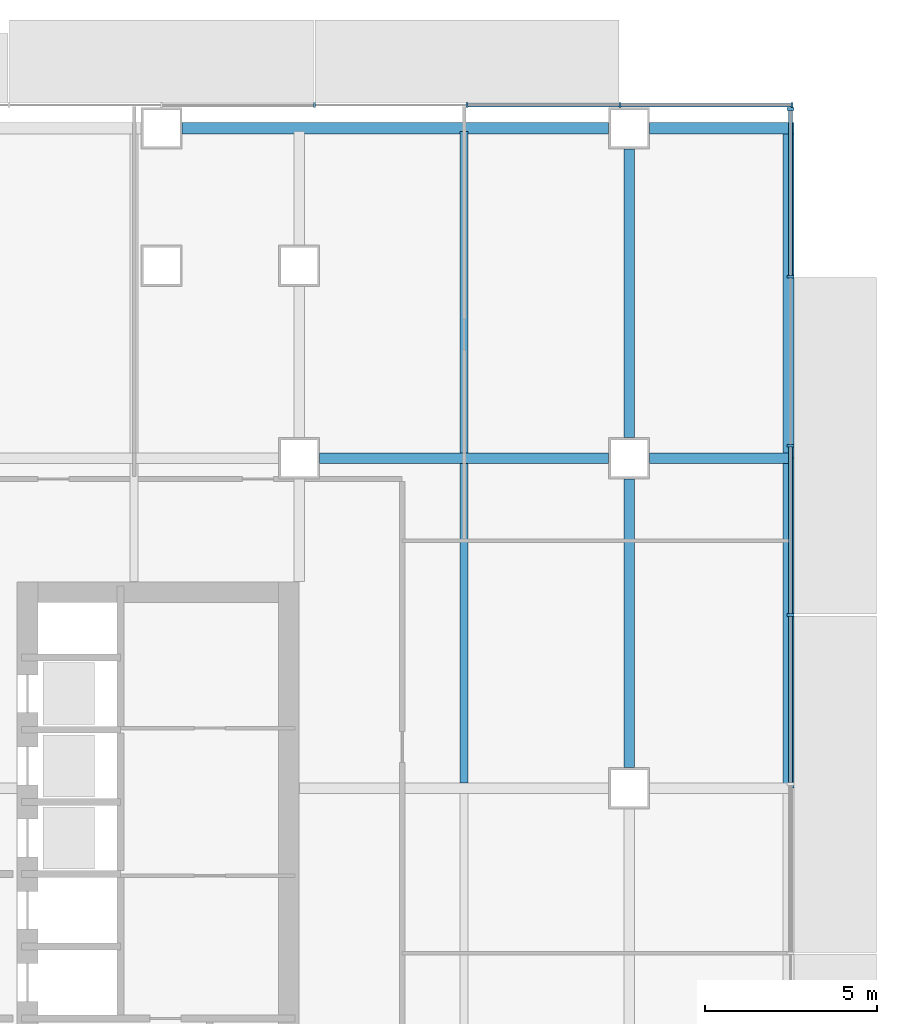
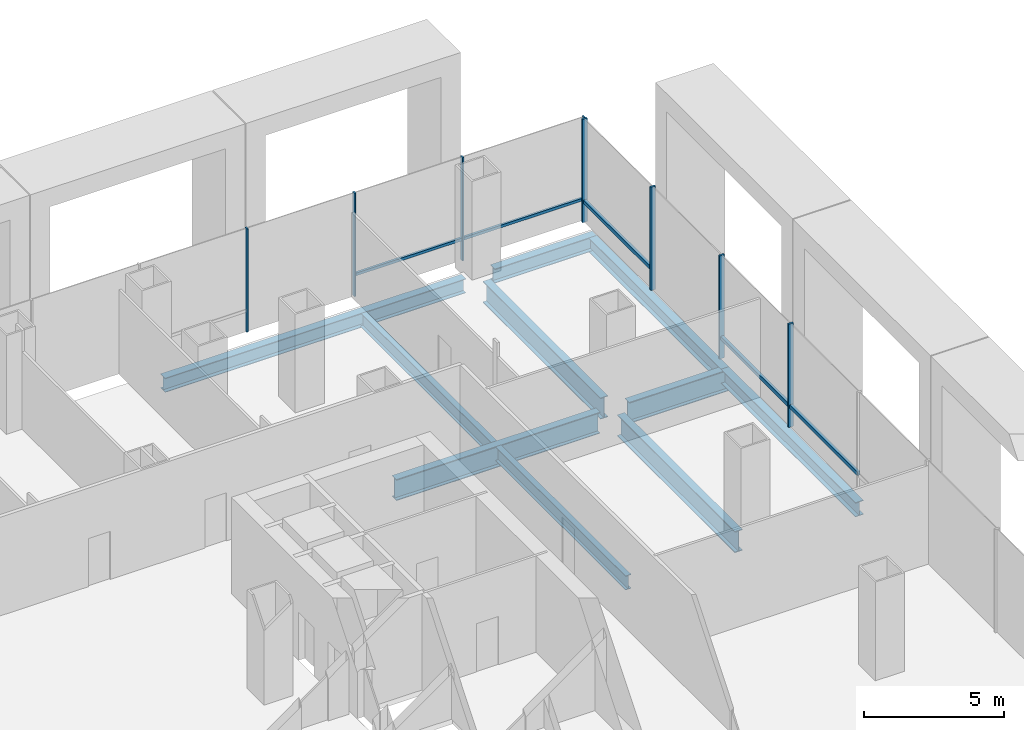
# One storey, part 11 of 23: 13 members, 10 beams, 2 elements without a shape of their own.
"""IFC4 building model written with IfcOpenShell, lengths in metres."""

from ifc_helpers import new_model, si_unit, direction, frame, origin, origin_2d, place, context, subcontext, project, spatial, rectangle, i_section, extrude, material, material_profile, profile_set, type_object, element, aggregate, save


model = new_model("IFC4")

# Units and contexts
model_context = context("Model", 3, precision=1e-05, world=origin(), true_north=direction((0.0, 1.0)))
body_context = subcontext(model_context, "Body", "Model", "MODEL_VIEW")
ifc_project = project(units=[si_unit("LENGTHUNIT", "METRE"), si_unit("AREAUNIT", "SQUARE_METRE"), si_unit("VOLUMEUNIT", "CUBIC_METRE"), si_unit("PLANEANGLEUNIT", "RADIAN"), si_unit("MASSUNIT", "GRAM", prefix="KILO")], contexts=[model_context])

# Site, building, storey
site_placement = place(None, origin())
site = spatial("IfcSite", under=ifc_project, at=site_placement, CompositionType="ELEMENT")
building_placement = place(site_placement, origin())
building = spatial("IfcBuilding", under=site, at=building_placement, Name="Cobrizo Arcos Hotel Tower", CompositionType="ELEMENT")
storey_placement = place(building_placement, frame((0.0, 0.0, 15.5)))
storey = spatial("IfcBuildingStorey", under=building, at=storey_placement, Name="L02", CompositionType="ELEMENT", Elevation=15.5)

# Curtain wall, members
ifc_material_1 = material(Name="Aluminium 6063-T6 anodised bronze", Category="aluminium")
curtain_wall_type_1 = type_object("IfcCurtainWallType", Name="CW-A guest facade", PredefinedType="NOTDEFINED", material=ifc_material_1)
curtain_wall_1_placement = place(storey_placement, origin())
curtain_wall_1 = element("IfcCurtainWall", 1, at=curtain_wall_1_placement, inside=storey, type_object=curtain_wall_type_1, Name="CW-A L02 N face", PredefinedType="NOTDEFINED")
ifc_material_profile_1 = material_profile(ifc_material_1, rectangle(XDim=0.14990234375, YDim=0.06005859375, at=origin_2d()), Name="CW-A mullion 150x60")
ifc_profile_set_1 = profile_set([ifc_material_profile_1], Name="Aluminium 6063-T6 anodised bronze")
member_type_1 = type_object("IfcMemberType", Name="CW-A mullion 150x60", PredefinedType="MULLION", material=ifc_profile_set_1)
member_1_placement = place(storey_placement, frame((38.344970703125, 24.675048828125, 0.0), z_axis=(0.0, 0.0, 1.0), x_axis=(0.0, 1.0, 0.0)))
member_1 = element("IfcMember", 2, at=member_1_placement, type_object=member_type_1, Name="CW-A mullion 1", PredefinedType="MULLION", context=body_context, shape_type="SweptSolid", body=[
    extrude(rectangle(XDim=0.14990234375, YDim=0.06005859375, at=origin_2d()), origin(), (0.0, 0.0, 1.0), 4.5),
])
member_2_placement = place(storey_placement, frame((33.333251953125, 24.675048828125, 0.0), z_axis=(0.0, 0.0, 1.0), x_axis=(0.0, 1.0, 0.0)))
member_2 = element("IfcMember", 3, at=member_2_placement, type_object=member_type_1, Name="CW-A mullion 2", PredefinedType="MULLION", context=body_context, shape_type="SweptSolid", body=[
    extrude(rectangle(XDim=0.14990234375, YDim=0.06005859375, at=origin_2d()), origin(), (0.0, 0.0, 1.0), 4.5),
])
member_3_placement = place(storey_placement, frame((28.888916015625, 24.675048828125, 0.0), z_axis=(0.0, 0.0, 1.0), x_axis=(0.0, 1.0, 0.0)))
member_3 = element("IfcMember", 4, at=member_3_placement, type_object=member_type_1, Name="CW-A mullion 3", PredefinedType="MULLION", context=body_context, shape_type="SweptSolid", body=[
    extrude(rectangle(XDim=0.14990234375, YDim=0.06005859375, at=origin_2d()), origin(), (0.0, 0.0, 1.0), 4.5),
])
member_4_placement = place(storey_placement, frame((24.4443359375, 24.675048828125, 0.0), z_axis=(0.0, 0.0, 1.0), x_axis=(0.0, 1.0, 0.0)))
member_4 = element("IfcMember", 5, at=member_4_placement, type_object=member_type_1, Name="CW-A mullion 4", PredefinedType="MULLION", context=body_context, shape_type="SweptSolid", body=[
    extrude(rectangle(XDim=0.14990234375, YDim=0.06005859375, at=origin_2d()), origin(), (0.0, 0.0, 1.0), 4.5),
])
ifc_material_profile_2 = material_profile(ifc_material_1, rectangle(XDim=0.10009765625, YDim=0.1201171875, at=origin_2d()), Name="CW-A transom 120x100")
ifc_profile_set_2 = profile_set([ifc_material_profile_2], Name="Aluminium 6063-T6 anodised bronze")
member_type_2 = type_object("IfcMemberType", Name="CW-A transom 120x100", PredefinedType="USERDEFINED", material=ifc_profile_set_2)
member_5_placement = place(storey_placement, frame((38.31494140625, 24.675048828125, 0.929931640625), z_axis=(-1.0, 0.0, 0.0), x_axis=(0.0, -1.0, 0.0)))
member_5 = element("IfcMember", 6, at=member_5_placement, type_object=member_type_2, Name="CW-A transom 117", ObjectType="TRANSOM", PredefinedType="USERDEFINED", context=body_context, shape_type="SweptSolid", body=[
    extrude(rectangle(XDim=0.10009765625, YDim=0.1201171875, at=origin_2d()), origin(), (0.0, 0.0, 1.0), 4.95166015625),
])
member_6_placement = place(storey_placement, frame((33.30322265625, 24.675048828125, 0.929931640625), z_axis=(-1.0, 0.0, 0.0), x_axis=(0.0, -1.0, 0.0)))
member_6 = element("IfcMember", 7, at=member_6_placement, type_object=member_type_2, Name="CW-A transom 118", ObjectType="TRANSOM", PredefinedType="USERDEFINED", context=body_context, shape_type="SweptSolid", body=[
    extrude(rectangle(XDim=0.10009765625, YDim=0.1201171875, at=origin_2d()), origin(), (0.0, 0.0, 1.0), 4.38427734375),
])
aggregate(curtain_wall_1, [member_1, member_2, member_3, member_4, member_5, member_6])

curtain_wall_type_2 = type_object("IfcCurtainWallType", Name="CW-B podium glazing", PredefinedType="NOTDEFINED", material=ifc_material_1)
curtain_wall_2_placement = place(storey_placement, origin())
curtain_wall_2 = element("IfcCurtainWall", 8, at=curtain_wall_2_placement, inside=storey, type_object=curtain_wall_type_2, Name="CW-B L02 E face", PredefinedType="NOTDEFINED")
ifc_material_profile_3 = material_profile(ifc_material_1, rectangle(XDim=0.199951171875, YDim=0.080078125, at=origin_2d()), Name="CW-B mullion 200x80")
ifc_profile_set_3 = profile_set([ifc_material_profile_3], Name="Aluminium 6063-T6 anodised bronze")
member_type_3 = type_object("IfcMemberType", Name="CW-B mullion 200x80", PredefinedType="MULLION", material=ifc_profile_set_3)
member_7_placement = place(storey_placement, frame((38.300048828125, 9.840087890625, 0.0), z_axis=(0.0, 0.0, 1.0), x_axis=(1.0, 0.0, 0.0)))
member_7 = element("IfcMember", 9, at=member_7_placement, type_object=member_type_3, Name="CW-B mullion 8", PredefinedType="MULLION", context=body_context, shape_type="SweptSolid", body=[
    extrude(rectangle(XDim=0.199951171875, YDim=0.080078125, at=origin_2d()), origin(), (0.0, 0.0, 1.0), 4.5),
])
member_8_placement = place(storey_placement, frame((38.300048828125, 14.760009765625, 0.0), z_axis=(0.0, 0.0, 1.0), x_axis=(1.0, 0.0, 0.0)))
member_8 = element("IfcMember", 10, at=member_8_placement, type_object=member_type_3, Name="CW-B mullion 9", PredefinedType="MULLION", context=body_context, shape_type="SweptSolid", body=[
    extrude(rectangle(XDim=0.199951171875, YDim=0.080078125, at=origin_2d()), origin(), (0.0, 0.0, 1.0), 4.5),
])
member_9_placement = place(storey_placement, frame((38.300048828125, 19.679931640625, 0.0), z_axis=(0.0, 0.0, 1.0), x_axis=(1.0, 0.0, 0.0)))
member_9 = element("IfcMember", 11, at=member_9_placement, type_object=member_type_3, Name="CW-B mullion 10", PredefinedType="MULLION", context=body_context, shape_type="SweptSolid", body=[
    extrude(rectangle(XDim=0.199951171875, YDim=0.080078125, at=origin_2d()), origin(), (0.0, 0.0, 1.0), 4.5),
])
member_10_placement = place(storey_placement, frame((38.300048828125, 24.56005859375, 0.0), z_axis=(0.0, 0.0, 1.0), x_axis=(1.0, 0.0, 0.0)))
member_10 = element("IfcMember", 12, at=member_10_placement, type_object=member_type_3, Name="CW-B mullion 11", PredefinedType="MULLION", context=body_context, shape_type="SweptSolid", body=[
    extrude(rectangle(XDim=0.199951171875, YDim=0.080078125, at=origin_2d()), origin(), (0.0, 0.0, 1.0), 4.5),
])
ifc_material_profile_4 = material_profile(ifc_material_1, rectangle(XDim=0.1201171875, YDim=0.159912109375, at=origin_2d()), Name="CW-B transom 160x120")
ifc_profile_set_4 = profile_set([ifc_material_profile_4], Name="Aluminium 6063-T6 anodised bronze")
member_type_4 = type_object("IfcMemberType", Name="CW-B transom 160x120", PredefinedType="USERDEFINED", material=ifc_profile_set_4)
member_11_placement = place(storey_placement, frame((38.300048828125, 4.9599609375, 0.89990234375), z_axis=(0.0, 1.0, 0.0), x_axis=(-1.0, 0.0, 0.0)))
member_11 = element("IfcMember", 13, at=member_11_placement, type_object=member_type_4, Name="CW-B transom 113", ObjectType="TRANSOM", PredefinedType="USERDEFINED", context=body_context, shape_type="SweptSolid", body=[
    extrude(rectangle(XDim=0.1201171875, YDim=0.159912109375, at=origin_2d()), origin(), (0.0, 0.0, 1.0), 4.840087890625),
])
member_12_placement = place(storey_placement, frame((38.300048828125, 9.8798828125, 0.89990234375), z_axis=(0.0, 1.0, 0.0), x_axis=(-1.0, 0.0, 0.0)))
member_12 = element("IfcMember", 14, at=member_12_placement, type_object=member_type_4, Name="CW-B transom 114", ObjectType="TRANSOM", PredefinedType="USERDEFINED", context=body_context, shape_type="SweptSolid", body=[
    extrude(rectangle(XDim=0.1201171875, YDim=0.159912109375, at=origin_2d()), origin(), (0.0, 0.0, 1.0), 4.840087890625),
])
member_13_placement = place(storey_placement, frame((38.300048828125, 19.719970703125, 0.89990234375), z_axis=(0.0, 1.0, 0.0), x_axis=(-1.0, 0.0, 0.0)))
member_13 = element("IfcMember", 15, at=member_13_placement, type_object=member_type_4, Name="CW-B transom 116", ObjectType="TRANSOM", PredefinedType="USERDEFINED", context=body_context, shape_type="SweptSolid", body=[
    extrude(rectangle(XDim=0.1201171875, YDim=0.159912109375, at=origin_2d()), origin(), (0.0, 0.0, 1.0), 4.800048828125),
])
aggregate(curtain_wall_2, [member_7, member_8, member_9, member_10, member_11, member_12, member_13])

# Beams
ifc_material_2 = material(Name="Steel ASTM A992 Grade 50", Category="steel")
ifc_material_profile_5 = material_profile(ifc_material_2, i_section(OverallWidth=0.32763671875, OverallDepth=0.622314453125, WebThickness=0.015380859375, FlangeThickness=0.0244140625, at=origin_2d()), Name="W24X131")
ifc_profile_set_5 = profile_set([ifc_material_profile_5], Name="Steel ASTM A992 Grade 50")
beam_type_1 = type_object("IfcBeamType", Name="W24X131 edge beam", PredefinedType="BEAM", material=ifc_profile_set_5)
beam_1_placement = place(storey_placement, frame((38.236083984375, 4.800048828125, -0.510986328125), z_axis=(0.0, 1.0, 0.0), x_axis=(-1.0, 0.0, 0.0)))
element("IfcBeam", 16, at=beam_1_placement, inside=storey, type_object=beam_type_1, Name="Edge beam EB1, L02, no. 004", PredefinedType="BEAM", context=body_context, shape_type="SweptSolid", body=[
    extrude(i_section(OverallWidth=0.32763671875, OverallDepth=0.622314453125, WebThickness=0.015380859375, FlangeThickness=0.0244140625, at=origin_2d()), origin(), (0.0, 0.0, 1.0), 9.599853515625),
])
beam_2_placement = place(storey_placement, frame((38.236083984375, 14.39990234375, -0.510986328125), z_axis=(0.0, 1.0, 0.0), x_axis=(-1.0, 0.0, 0.0)))
element("IfcBeam", 17, at=beam_2_placement, inside=storey, type_object=beam_type_1, Name="Edge beam EB1, L02, no. 005", PredefinedType="BEAM", context=body_context, shape_type="SweptSolid", body=[
    extrude(i_section(OverallWidth=0.32763671875, OverallDepth=0.622314453125, WebThickness=0.015380859375, FlangeThickness=0.0244140625, at=origin_2d()), origin(), (0.0, 0.0, 1.0), 9.60009765625),
])
beam_3_placement = place(storey_placement, frame((38.39990234375, 24.0, -0.510986328125), z_axis=(-1.0, 0.0, 0.0), x_axis=(0.0, -1.0, 0.0)))
element("IfcBeam", 18, at=beam_3_placement, inside=storey, type_object=beam_type_1, Name="Edge beam EB1, L02, no. 006", PredefinedType="BEAM", context=body_context, shape_type="SweptSolid", body=[
    extrude(i_section(OverallWidth=0.32763671875, OverallDepth=0.622314453125, WebThickness=0.015380859375, FlangeThickness=0.0244140625, at=origin_2d()), origin(), (0.0, 0.0, 1.0), 4.199951171875),
])
ifc_material_profile_6 = material_profile(ifc_material_2, i_section(OverallWidth=0.32763671875, OverallDepth=0.622314453125, WebThickness=0.015380859375, FlangeThickness=0.0244140625, at=origin_2d()), Name="W24X131")
ifc_profile_set_6 = profile_set([ifc_material_profile_6], Name="Steel ASTM A992 Grade 50")
beam_type_2 = type_object("IfcBeamType", Name="W24X131 spandrel", PredefinedType="SPANDREL", material=ifc_profile_set_6)
beam_4_placement = place(storey_placement, frame((33.0, 24.0, -0.510986328125), z_axis=(-1.0, 0.0, 0.0), x_axis=(0.0, -1.0, 0.0)))
element("IfcBeam", 19, at=beam_4_placement, inside=storey, type_object=beam_type_2, Name="Spandrel beam W24X131, L02, no. 001", PredefinedType="SPANDREL", context=body_context, shape_type="SweptSolid", body=[
    extrude(i_section(OverallWidth=0.32763671875, OverallDepth=0.622314453125, WebThickness=0.015380859375, FlangeThickness=0.0244140625, at=origin_2d()), origin(), (0.0, 0.0, 1.0), 12.39990234375),
])
ifc_material_profile_7 = material_profile(ifc_material_2, i_section(OverallWidth=0.23046875, OverallDepth=0.6171875, WebThickness=0.01318359375, FlangeThickness=0.022216796875, at=origin_2d()), Name="W24X94")
ifc_profile_set_7 = profile_set([ifc_material_profile_7], Name="Steel ASTM A992 Grade 50")
beam_type_3 = type_object("IfcBeamType", Name="W24X94 podium joist", PredefinedType="JOIST", material=ifc_profile_set_7)
beam_5_placement = place(storey_placement, frame((28.800048828125, 4.95361328125, -0.508544921875), z_axis=(0.0, 1.0, 0.0), x_axis=(-1.0, 0.0, 0.0)))
element("IfcBeam", 20, at=beam_5_placement, inside=storey, type_object=beam_type_3, Name="Podium joist PJ1, L02, no. 032", PredefinedType="JOIST", context=body_context, shape_type="SweptSolid", body=[
    extrude(i_section(OverallWidth=0.23046875, OverallDepth=0.6171875, WebThickness=0.01318359375, FlangeThickness=0.022216796875, at=origin_2d()), origin(), (0.0, 0.0, 1.0), 9.292724609375),
])
beam_6_placement = place(storey_placement, frame((28.800048828125, 14.5537109375, -0.508544921875), z_axis=(0.0, 1.0, 0.0), x_axis=(-1.0, 0.0, 0.0)))
element("IfcBeam", 21, at=beam_6_placement, inside=storey, type_object=beam_type_3, Name="Podium joist PJ1, L02, no. 033", PredefinedType="JOIST", context=body_context, shape_type="SweptSolid", body=[
    extrude(i_section(OverallWidth=0.23046875, OverallDepth=0.6171875, WebThickness=0.01318359375, FlangeThickness=0.022216796875, at=origin_2d()), origin(), (0.0, 0.0, 1.0), 9.356201171875),
])
ifc_material_profile_8 = material_profile(ifc_material_2, i_section(OverallWidth=0.307373046875, OverallDepth=0.927001953125, WebThickness=0.01953125, FlangeThickness=0.031982421875, at=origin_2d()), Name="W36X194")
ifc_profile_set_8 = profile_set([ifc_material_profile_8], Name="Steel ASTM A992 Grade 50")
beam_type_4 = type_object("IfcBeamType", Name="W36X194 podium girder", PredefinedType="BEAM", material=ifc_profile_set_8)
beam_7_placement = place(storey_placement, frame((24.60009765625, 14.39990234375, -0.66357421875), z_axis=(1.0, 0.0, 0.0), x_axis=(0.0, 1.0, 0.0)))
element("IfcBeam", 22, at=beam_7_placement, inside=storey, type_object=beam_type_4, Name="Podium girder PG1, L02, no. 033", PredefinedType="BEAM", context=body_context, shape_type="SweptSolid", body=[
    extrude(i_section(OverallWidth=0.307373046875, OverallDepth=0.927001953125, WebThickness=0.01953125, FlangeThickness=0.031982421875, at=origin_2d()), origin(), (0.0, 0.0, 1.0), 8.39990234375),
])
beam_8_placement = place(storey_placement, frame((34.199951171875, 14.39990234375, -0.66357421875), z_axis=(1.0, 0.0, 0.0), x_axis=(0.0, 1.0, 0.0)))
element("IfcBeam", 23, at=beam_8_placement, inside=storey, type_object=beam_type_4, Name="Podium girder PG1, L02, no. 034", PredefinedType="BEAM", context=body_context, shape_type="SweptSolid", body=[
    extrude(i_section(OverallWidth=0.307373046875, OverallDepth=0.927001953125, WebThickness=0.01953125, FlangeThickness=0.031982421875, at=origin_2d()), origin(), (0.0, 0.0, 1.0), 4.110107421875),
])
beam_9_placement = place(storey_placement, frame((33.60009765625, 5.39990234375, -0.66357421875), z_axis=(0.0, 1.0, 0.0), x_axis=(-1.0, 0.0, 0.0)))
element("IfcBeam", 24, at=beam_9_placement, inside=storey, type_object=beam_type_4, Name="Podium girder PG1, L02, no. 075", PredefinedType="BEAM", context=body_context, shape_type="SweptSolid", body=[
    extrude(i_section(OverallWidth=0.307373046875, OverallDepth=0.927001953125, WebThickness=0.01953125, FlangeThickness=0.031982421875, at=origin_2d()), origin(), (0.0, 0.0, 1.0), 8.400146484375),
])
beam_10_placement = place(storey_placement, frame((33.60009765625, 15.0, -0.66357421875), z_axis=(0.0, 1.0, 0.0), x_axis=(-1.0, 0.0, 0.0)))
element("IfcBeam", 25, at=beam_10_placement, inside=storey, type_object=beam_type_4, Name="Podium girder PG1, L02, no. 076", PredefinedType="BEAM", context=body_context, shape_type="SweptSolid", body=[
    extrude(i_section(OverallWidth=0.307373046875, OverallDepth=0.927001953125, WebThickness=0.01953125, FlangeThickness=0.031982421875, at=origin_2d()), origin(), (0.0, 0.0, 1.0), 8.39990234375),
])

save(model, "model.ifc")
